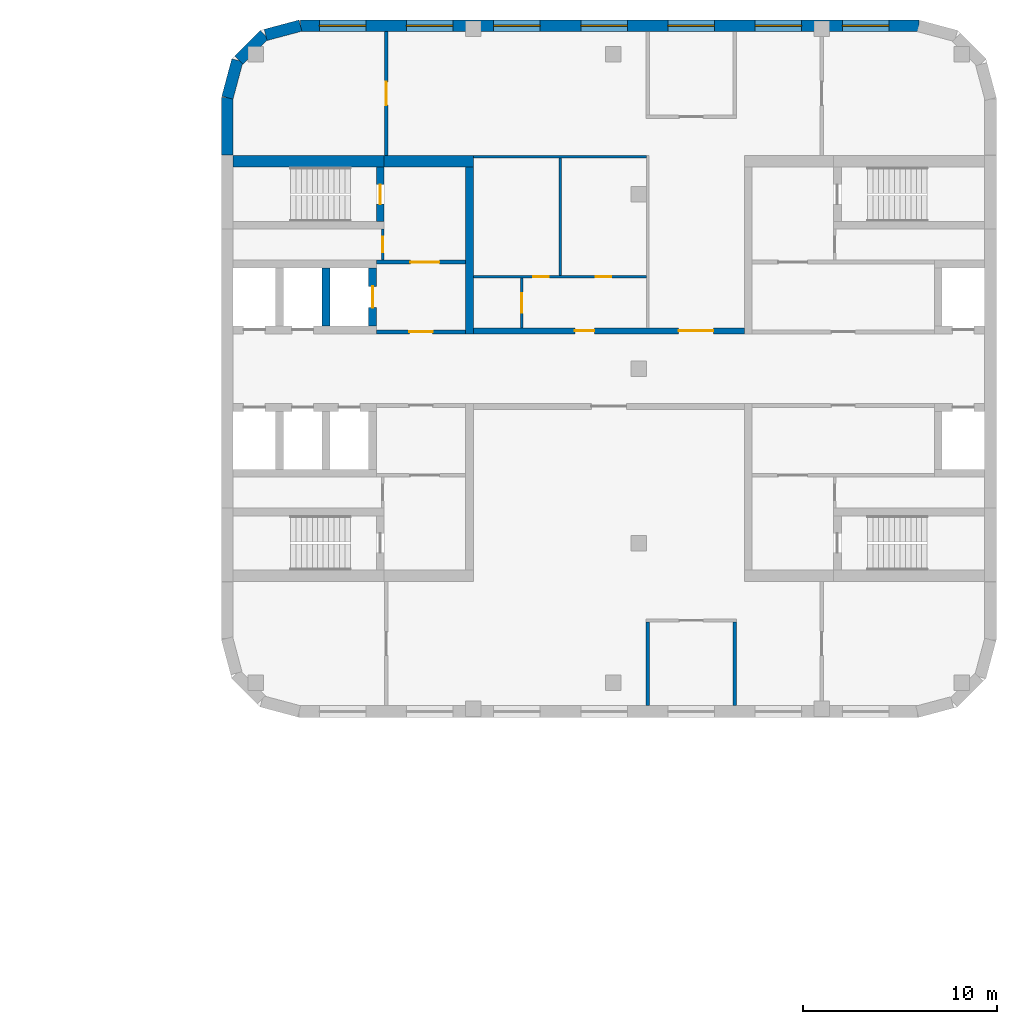
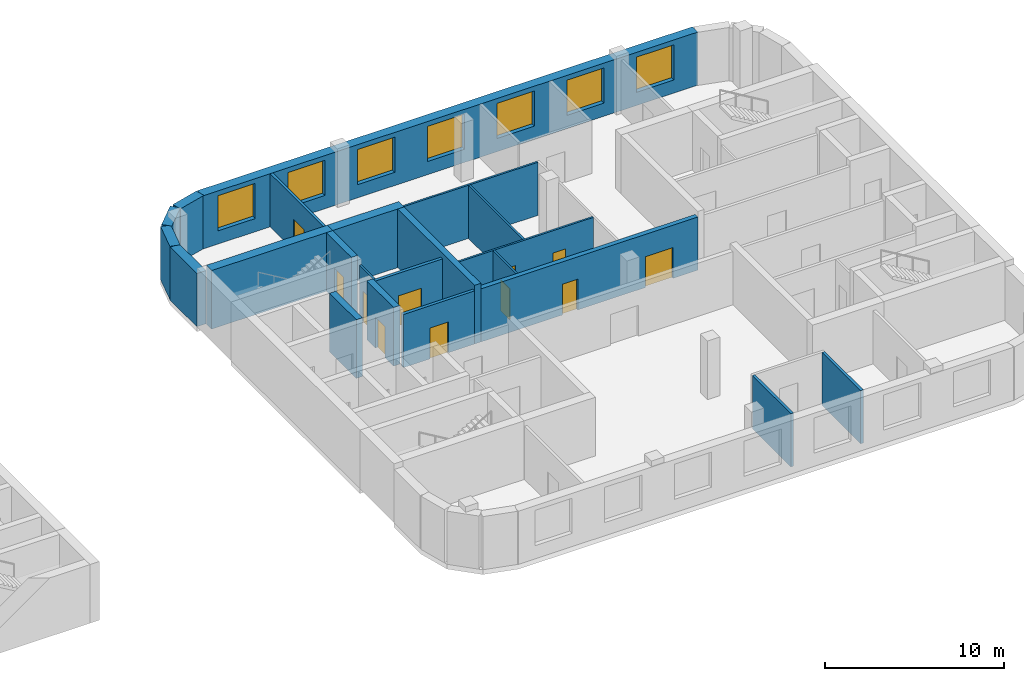
# One storey, part 8 of 15: 22 walls, 11 doors, 7 windows, 18 openings.
"""IFC4 building model written with IfcOpenShell, lengths in metres."""

import ifcopenshell
import ifcopenshell.guid

model = None  # the IFC model being written
_history = None  # IfcOwnerHistory: only IFC2X3 demands one
_inside = {}  # id of a spatial element -> (the spatial element, [elements in it])
_under = {}  # id of a project, library or spatial element -> (it, [spatial elements below it])
_declared = {}  # id of a project -> (the project, [libraries it declares])
_typed = {}  # id of a type object -> (the type object, [elements of that type])
_made_of = {}  # id of a material, layer set ... -> (it, [elements and type objects made of it])


def new_model(schema):
    """Start an empty IFC model of exactly this schema.

    Asked for "IFC4X3", IfcOpenShell would pick the latest addendum, in which some entities
    have other attributes; the version numbers below select the first issue.
    IFC2X3 requires an IfcOwnerHistory on every rooted entity: one is made here for all.
    """
    global model, _history
    if schema == "IFC4X3":
        model = ifcopenshell.file(schema_version=(4, 3, 0, 0))
    else:
        model = ifcopenshell.file(schema=schema)
    _inside.clear()
    _under.clear()
    _declared.clear()
    _typed.clear()
    _made_of.clear()
    _history = None
    if model.schema == "IFC2X3":
        org = make("IfcOrganization", Name="unknown")
        user = make(
            "IfcPersonAndOrganization",
            ThePerson=make("IfcPerson", FamilyName="unknown"),
            TheOrganization=org,
        )
        app = make(
            "IfcApplication",
            ApplicationDeveloper=org,
            Version="unknown",
            ApplicationFullName="unknown",
            ApplicationIdentifier="unknown",
        )
        _history = make(
            "IfcOwnerHistory",
            OwningUser=user,
            OwningApplication=app,
            ChangeAction="ADDED",
            CreationDate=0,
        )
    return model


def make(cls, **values):
    """One entity of the class cls with the attributes given. An attribute that is None is left unset."""
    return model.create_entity(
        cls, **{name: value for name, value in values.items() if value is not None}
    )


def rooted(cls, **values):
    """An entity with a GlobalId (a new one), such as an element, a storey or a relation."""
    return make(cls, GlobalId=ifcopenshell.guid.new(), OwnerHistory=_history, **values)


def si_unit(unit_type, name, prefix=None):
    """IfcSIUnit, for example si_unit("LENGTHUNIT", "METRE", prefix="MILLI")."""
    return make("IfcSIUnit", UnitType=unit_type, Prefix=prefix, Name=name)


def assignment(units):
    """IfcUnitAssignment: the units of a project."""
    return None if units is None else make("IfcUnitAssignment", Units=units)


def point(xyz):
    """IfcCartesianPoint."""
    return None if xyz is None else make("IfcCartesianPoint", Coordinates=xyz)


def direction(xyz):
    """IfcDirection."""
    return None if xyz is None else make("IfcDirection", DirectionRatios=xyz)


def frame(location, z_axis=None, x_axis=None):
    """IfcAxis2Placement3D, a coordinate frame: its origin and axes. An axis left out is left unset."""
    return make(
        "IfcAxis2Placement3D",
        Location=point(location),
        Axis=direction(z_axis),
        RefDirection=direction(x_axis),
    )


def frame_2d(location, x_axis=None):
    """IfcAxis2Placement2D, a coordinate frame in the plane: its origin and x axis."""
    return make(
        "IfcAxis2Placement2D", Location=point(location), RefDirection=direction(x_axis)
    )


def origin():
    """The frame at (0, 0, 0) with its axes left unset."""
    return frame((0.0, 0.0, 0.0))


def place(relative_to, where):
    """IfcLocalPlacement: puts the frame where relative to a parent placement (None: the world)."""
    return make(
        "IfcLocalPlacement", PlacementRelTo=relative_to, RelativePlacement=where
    )


def context(
    kind, dimensions, precision=None, world=None, true_north=None, identifier=None
):
    """IfcGeometricRepresentationContext, for example the 3D "Model" context."""
    return make(
        "IfcGeometricRepresentationContext",
        ContextIdentifier=identifier,
        ContextType=kind,
        CoordinateSpaceDimension=dimensions,
        Precision=precision,
        WorldCoordinateSystem=world,
        TrueNorth=true_north,
    )


def subcontext(parent, identifier, kind, view, scale=None):
    """IfcGeometricRepresentationSubContext, for example "Body" below "Model"."""
    return make(
        "IfcGeometricRepresentationSubContext",
        ContextIdentifier=identifier,
        ContextType=kind,
        ParentContext=parent,
        TargetScale=scale,
        TargetView=view,
    )


def project(units=None, contexts=None):
    """IfcProject with its units and contexts."""
    return rooted(
        "IfcProject",
        Name="project",
        RepresentationContexts=contexts,
        UnitsInContext=assignment(units),
    )


def spatial(cls, under=None, at=None, **own):
    """A site, building, storey or space (cls), placed at a placement, below another one or the project."""
    s = rooted(cls, ObjectPlacement=at, **own)
    if under is not None:
        _under.setdefault(under.id(), (under, []))[1].append(s)
    return s


def profile(cls, at=None, kind="AREA", **sizes):
    """A parametric profile (cls). Its sizes go by their IFC names, for example OverallWidth=200.0."""
    return make(cls, ProfileType=kind, Position=at, **sizes)


def rectangle(**sizes):
    """IfcRectangleProfileDef."""
    return profile("IfcRectangleProfileDef", **sizes)


def extrude(swept, where, along, depth):
    """IfcExtrudedAreaSolid: the profile swept, set in the frame where, extruded along a direction by depth."""
    return make(
        "IfcExtrudedAreaSolid",
        SweptArea=swept,
        Position=where,
        ExtrudedDirection=direction(along),
        Depth=depth,
    )


def shape(context_of_items, identifier, shape_type, items):
    """IfcShapeRepresentation: the items that make up one representation, for example the "Body"."""
    return make(
        "IfcShapeRepresentation",
        ContextOfItems=context_of_items,
        RepresentationIdentifier=identifier,
        RepresentationType=shape_type,
        Items=items,
    )


def material(Name=None, Category=None):
    """IfcMaterial."""
    return make("IfcMaterial", Name=Name, Category=Category)


def layer(
    of_material, thickness, ventilated=None, Name=None, Category=None, Priority=None
):
    """IfcMaterialLayer: one layer of a wall or slab, of a material (None: an air gap)."""
    return make(
        "IfcMaterialLayer",
        Material=of_material,
        LayerThickness=thickness,
        IsVentilated=ventilated,
        Name=Name,
        Category=Category,
        Priority=Priority,
    )


def layer_set(layers, Name=None):
    """IfcMaterialLayerSet."""
    return make("IfcMaterialLayerSet", MaterialLayers=layers, LayerSetName=Name)


def made_of(thing, what):
    """Note that an element or type object is made of a material, layer set ...; save() writes the relation."""
    if what is not None:
        _made_of.setdefault(what.id(), (what, []))[1].append(thing)
    return thing


def type_object(cls, material=None, **own):
    """A type object (cls), such as IfcWallType, which elements share."""
    return made_of(rooted(cls, **own), material)


def element(
    cls,
    number,
    at=None,
    inside=None,
    cuts=None,
    type_object=None,
    material=None,
    context=None,
    identifier="Body",
    shape_type=None,
    held_by="IfcProductDefinitionShape",
    body=None,
    shapes=None,
    **own,
):
    """One element of the class cls, such as IfcWall. Its Tag is "e" and its number.

    at: its placement. inside: the storey or other place that contains it. cuts: it is an
    opening in that element (IfcRelVoidsElement). A single representation is given by context,
    identifier, shape_type and body (its items); several are given by shapes. held_by: the class
    of the entity that holds the representations. save() writes the other relations.
    """
    e = rooted(cls, Tag="e%d" % number, ObjectPlacement=at, **own)
    if body is not None:
        shapes = [shape(context, identifier, shape_type, body)]
    if shapes is not None:
        e.Representation = make(held_by, Representations=shapes)
    if inside is not None:
        _inside.setdefault(inside.id(), (inside, []))[1].append(e)
    if cuts is not None:
        rooted(
            "IfcRelVoidsElement", RelatingBuildingElement=cuts, RelatedOpeningElement=e
        )
    if type_object is not None:
        _typed.setdefault(type_object.id(), (type_object, []))[1].append(e)
    return made_of(e, material)


def fill(opening, filler):
    """IfcRelFillsElement: the door or window that sits in an opening."""
    return rooted(
        "IfcRelFillsElement",
        RelatingOpeningElement=opening,
        RelatedBuildingElement=filler,
    )


def aggregate(whole, parts):
    """IfcRelAggregates: a whole, such as a stair, and the parts it consists of."""
    return rooted("IfcRelAggregates", RelatingObject=whole, RelatedObjects=parts)


def save(model, path):
    """Write the relations noted so far, then the file.

    IfcRelAggregates (storeys below a building ...), IfcRelContainedInSpatialStructure (elements
    in a storey), IfcRelDefinesByType, IfcRelAssociatesMaterial and IfcRelDeclares: one each for
    every whole, place, type object, material and project.
    """
    for whole, parts in _under.values():
        aggregate(whole, parts)
    for where, things in _inside.values():
        rooted(
            "IfcRelContainedInSpatialStructure",
            RelatedElements=things,
            RelatingStructure=where,
        )
    for kind, things in _typed.values():
        rooted("IfcRelDefinesByType", RelatedObjects=things, RelatingType=kind)
    for what, things in _made_of.values():
        rooted("IfcRelAssociatesMaterial", RelatedObjects=things, RelatingMaterial=what)
    for by, libraries in _declared.values():
        rooted("IfcRelDeclares", RelatingContext=by, RelatedDefinitions=libraries)
    model.write(path)


model = new_model("IFC4")

# Units and contexts
model_context = context("Model", 3, precision=1e-05, world=origin(), true_north=direction((0.0, 1.0)))
body_context = subcontext(model_context, "Body", "Model", "MODEL_VIEW")
ifc_project = project(units=[si_unit("LENGTHUNIT", "METRE"), si_unit("AREAUNIT", "SQUARE_METRE"), si_unit("VOLUMEUNIT", "CUBIC_METRE"), si_unit("PLANEANGLEUNIT", "RADIAN"), si_unit("MASSUNIT", "GRAM", prefix="KILO")], contexts=[model_context])

# Site, building, storey
site_placement = place(None, origin())
site = spatial("IfcSite", under=ifc_project, at=site_placement, CompositionType="ELEMENT")
building_placement = place(site_placement, origin())
building = spatial("IfcBuilding", under=site, at=building_placement, Name="Skarvind Civic Tower", CompositionType="ELEMENT")
storey_placement = place(building_placement, frame((0.0, 0.0, 55.5)))
storey = spatial("IfcBuildingStorey", under=building, at=storey_placement, Name="L12", CompositionType="ELEMENT", Elevation=55.5)

# Wall, opening, door
ifc_material_1 = material(Name="Acoustic gypsum board on steel studs", Category="steel")
ifc_layer_1 = layer(ifc_material_1, 0.175048828125)
ifc_layer_set_1 = layer_set([ifc_layer_1], Name="ACOUSTIC MEETING-ROOM PARTITION 175")
wall_type_1 = type_object("IfcWallType", Name="ACOUSTIC MEETING-ROOM PARTITION 175", PredefinedType="PARTITIONING", material=ifc_layer_set_1)
wall_1_placement = place(storey_placement, frame((135.5, 145.39990234375, 0.0), z_axis=(0.0, 0.0, 1.0), x_axis=(0.0, -1.0, 0.0)))
wall_1 = element("IfcWall", 1, at=wall_1_placement, inside=storey, type_object=wall_type_1, Name="Partition 12.002", PredefinedType="PARTITIONING", context=body_context, shape_type="SweptSolid", body=[
    extrude(rectangle(XDim=6.39990234375, YDim=0.175048828125, at=frame_2d((3.199951171875, 0.0))), origin(), (0.0, 0.0, 1.0), 3.625),
])
opening_1_placement = place(wall_1_placement, frame((2.60009765625, 0.0, 0.0)))
opening_1 = element("IfcOpeningElement", 2, at=opening_1_placement, cuts=wall_1, Name="Opening L12-D107", PredefinedType="OPENING", context=body_context, shape_type="SweptSolid", body=[
    extrude(rectangle(XDim=1.199951171875, YDim=2.10009765625, at=frame_2d((0.60009765625, 1.050048828125))), frame((0.0, 0.097412109375, 0.0), z_axis=(0.0, -1.0, 0.0), x_axis=(1.0, 0.0, 0.0)), (0.0, 0.0, 1.0), 0.195068359375),
])
ifc_material_2 = material(Name="Timber door leaf", Category="wood")
door_type_1 = type_object("IfcDoorType", Name="DOOR 1200X2100 DOUBLE TIMBER", OperationType="NOTDEFINED", PredefinedType="DOOR", material=ifc_material_2)
door_1_placement = place(opening_1_placement, origin())
door_1 = element("IfcDoor", 3, at=door_1_placement, inside=storey, type_object=door_type_1, Name="Door L12-D107", OperationType="DOUBLE_DOOR_SINGLE_SWING", OverallHeight=2.10009765625, OverallWidth=1.199951171875, PredefinedType="DOOR", context=body_context, shape_type="SweptSolid", body=[
    extrude(rectangle(XDim=1.199951171875, YDim=2.10009765625, at=frame_2d((0.60009765625, 1.050048828125))), frame((0.0, 0.02490234375, 0.0), z_axis=(0.0, -1.0, 0.0), x_axis=(1.0, 0.0, 0.0)), (0.0, 0.0, 1.0), 0.050048828125),
])
fill(opening_1, door_1)

# Walls
for number, where, z_axis, x_axis, name in (
    (4, (149.0, 110.60009765625, 0.0), (0.0, 0.0, 1.0), (0.0, 1.0, 0.0), "Partition 12.008"),
    (5, (153.5, 114.912109375, 0.0), (0.0, 0.0, 1.0), (0.0, -1.0, 0.0), "Partition 12.012"),
):
    element("IfcWall", number, at=place(storey_placement, frame(where, z_axis=z_axis, x_axis=x_axis)), inside=storey, type_object=wall_type_1, Name=name, PredefinedType="PARTITIONING", context=body_context, shape_type="SweptSolid", body=[
        extrude(rectangle(XDim=4.31201171875, YDim=0.175048828125, at=frame_2d((2.156005859375, 0.0))), origin(), (0.0, 0.0, 1.0), 3.625),
    ])

# Wall, openings, doors
ifc_material_3 = material(Name="Fire-rated gypsum board on steel studs", Category="steel")
ifc_layer_2 = layer(ifc_material_3, 0.300048828125)
ifc_layer_set_2 = layer_set([ifc_layer_2], Name="CORRIDOR WALL 300")
wall_type_2 = type_object("IfcWallType", Name="CORRIDOR WALL 300", PredefinedType="PARTITIONING", material=ifc_layer_set_2)
wall_2_placement = place(storey_placement, frame((140.0, 129.949951171875, 0.0), z_axis=(0.0, 0.0, 1.0), x_axis=(1.0, 0.0, 0.0)))
wall_2 = element("IfcWall", 6, at=wall_2_placement, inside=storey, type_object=wall_type_2, Name="Partition 12.003", PredefinedType="PARTITIONING", context=body_context, shape_type="SweptSolid", body=[
    extrude(rectangle(XDim=14.0, YDim=0.300048828125, at=frame_2d((7.0, 0.0))), origin(), (0.0, 0.0, 1.0), 3.625),
])
opening_2_placement = place(wall_2_placement, frame((5.25, 0.0, 0.0)))
opening_2 = element("IfcOpeningElement", 7, at=opening_2_placement, cuts=wall_2, Name="Opening L12-D101", PredefinedType="OPENING", context=body_context, shape_type="SweptSolid", body=[
    extrude(rectangle(XDim=1.0, YDim=2.10009765625, at=frame_2d((0.5, 1.050048828125))), frame((0.0, 0.159912109375, 0.0), z_axis=(0.0, -1.0, 0.0), x_axis=(1.0, 0.0, 0.0)), (0.0, 0.0, 1.0), 0.320068359375),
])
opening_3_placement = place(wall_2_placement, frame((10.60009765625, 0.0, 0.0)))
opening_3 = element("IfcOpeningElement", 8, at=opening_3_placement, cuts=wall_2, Name="Opening L12-D105", PredefinedType="OPENING", context=body_context, shape_type="SweptSolid", body=[
    extrude(rectangle(XDim=1.800048828125, YDim=2.10009765625, at=frame_2d((0.89990234375, 1.050048828125))), frame((0.0, 0.159912109375, 0.0), z_axis=(0.0, -1.0, 0.0), x_axis=(1.0, 0.0, 0.0)), (0.0, 0.0, 1.0), 0.320068359375),
])
ifc_material_4 = material(Name="Fire-rated timber door leaf", Category="wood")
door_type_2 = type_object("IfcDoorType", Name="FD1 1000x2100", OperationType="NOTDEFINED", PredefinedType="DOOR", material=ifc_material_4)
door_2_placement = place(opening_2_placement, origin())
door_2 = element("IfcDoor", 9, at=door_2_placement, inside=storey, type_object=door_type_2, Name="Door L12-D101", OperationType="SINGLE_SWING_RIGHT", OverallHeight=2.10009765625, OverallWidth=1.0, PredefinedType="DOOR", context=body_context, shape_type="SweptSolid", body=[
    extrude(rectangle(XDim=1.0, YDim=2.10009765625, at=frame_2d((0.5, 1.050048828125))), frame((0.0, 0.02490234375, 0.0), z_axis=(0.0, -1.0, 0.0), x_axis=(1.0, 0.0, 0.0)), (0.0, 0.0, 1.0), 0.050048828125),
])
fill(opening_2, door_2)
door_type_3 = type_object("IfcDoorType", Name="FD4 1800x2100", OperationType="NOTDEFINED", PredefinedType="DOOR", material=ifc_material_4)
door_3_placement = place(opening_3_placement, origin())
door_3 = element("IfcDoor", 10, at=door_3_placement, inside=storey, type_object=door_type_3, Name="Door L12-D105", OperationType="DOUBLE_DOOR_SINGLE_SWING", OverallHeight=2.10009765625, OverallWidth=1.800048828125, PredefinedType="DOOR", context=body_context, shape_type="SweptSolid", body=[
    extrude(rectangle(XDim=1.800048828125, YDim=2.10009765625, at=frame_2d((0.89990234375, 1.050048828125))), frame((0.0, 0.02490234375, 0.0), z_axis=(0.0, -1.0, 0.0), x_axis=(1.0, 0.0, 0.0)), (0.0, 0.0, 1.0), 0.050048828125),
])
fill(opening_3, door_3)

# Wall, opening, door
ifc_material_5 = material(Name="Fire-rated masonry partition", Category="masonry")
ifc_layer_3 = layer(ifc_material_5, 0.199951171875)
ifc_layer_set_3 = layer_set([ifc_layer_3], Name="Core enclosure wall 200")
wall_type_3 = type_object("IfcWallType", Name="Core enclosure wall 200", PredefinedType="PARTITIONING", material=ifc_layer_set_3)
wall_3_placement = place(storey_placement, frame((135.0, 129.89990234375, 0.0), z_axis=(0.0, 0.0, 1.0), x_axis=(1.0, 0.0, 0.0)))
wall_3 = element("IfcWall", 11, at=wall_3_placement, inside=storey, type_object=wall_type_3, Name="Core wall CA", PredefinedType="PARTITIONING", context=body_context, shape_type="SweptSolid", body=[
    extrude(rectangle(XDim=4.60009765625, YDim=0.199951171875, at=frame_2d((2.300048828125, 0.0))), origin(), (0.0, 0.0, 1.0), 3.625),
])
opening_4_placement = place(wall_3_placement, frame((1.699951171875, 0.0, 0.0)))
opening_4 = element("IfcOpeningElement", 12, at=opening_4_placement, cuts=wall_3, Name="Opening D-L12-CA-06", PredefinedType="OPENING", context=body_context, shape_type="SweptSolid", body=[
    extrude(rectangle(XDim=1.199951171875, YDim=2.10009765625, at=frame_2d((0.60009765625, 1.050048828125))), frame((0.0, 0.10986328125, 0.0), z_axis=(0.0, -1.0, 0.0), x_axis=(1.0, 0.0, 0.0)), (0.0, 0.0, 1.0), 0.219970703125),
])
ifc_material_6 = material(Name="Fire-rated steel door", Category="steel")
door_type_4 = type_object("IfcDoorType", Name="Core lobby door 1200", OperationType="NOTDEFINED", PredefinedType="DOOR", material=ifc_material_6)
door_4_placement = place(opening_4_placement, origin())
door_4 = element("IfcDoor", 13, at=door_4_placement, inside=storey, type_object=door_type_4, Name="Fire door", OperationType="DOUBLE_DOOR_SINGLE_SWING", OverallHeight=2.10009765625, OverallWidth=1.199951171875, PredefinedType="DOOR", context=body_context, shape_type="SweptSolid", body=[
    extrude(rectangle(XDim=1.199951171875, YDim=2.10009765625, at=frame_2d((0.60009765625, 1.050048828125))), frame((0.0, 0.02490234375, 0.0), z_axis=(0.0, -1.0, 0.0), x_axis=(1.0, 0.0, 0.0)), (0.0, 0.0, 1.0), 0.050048828125),
])
fill(opening_4, door_4)

wall_4_placement = place(storey_placement, frame((135.0, 133.5, 0.0), z_axis=(0.0, 0.0, 1.0), x_axis=(1.0, 0.0, 0.0)))
wall_4 = element("IfcWall", 14, at=wall_4_placement, inside=storey, type_object=wall_type_3, Name="Core wall CA", PredefinedType="PARTITIONING", context=body_context, shape_type="SweptSolid", body=[
    extrude(rectangle(XDim=4.60009765625, YDim=0.199951171875, at=frame_2d((2.300048828125, 0.0))), origin(), (0.0, 0.0, 1.0), 3.625),
])
opening_5_placement = place(wall_4_placement, frame((1.75, 0.0, 0.0)))
opening_5 = element("IfcOpeningElement", 15, at=opening_5_placement, cuts=wall_4, Name="Opening D-L12-CA-07", PredefinedType="OPENING", context=body_context, shape_type="SweptSolid", body=[
    extrude(rectangle(XDim=1.5, YDim=2.10009765625, at=frame_2d((0.75, 1.050048828125))), frame((0.0, 0.10986328125, 0.0), z_axis=(0.0, -1.0, 0.0), x_axis=(1.0, 0.0, 0.0)), (0.0, 0.0, 1.0), 0.219970703125),
])
door_type_5 = type_object("IfcDoorType", Name="Fire door 1500", OperationType="NOTDEFINED", PredefinedType="DOOR", material=ifc_material_6)
door_5_placement = place(opening_5_placement, origin())
door_5 = element("IfcDoor", 16, at=door_5_placement, inside=storey, type_object=door_type_5, Name="Fire door", OperationType="DOUBLE_DOOR_SINGLE_SWING", OverallHeight=2.10009765625, OverallWidth=1.5, PredefinedType="DOOR", context=body_context, shape_type="SweptSolid", body=[
    extrude(rectangle(XDim=1.5, YDim=2.10009765625, at=frame_2d((0.75, 1.050048828125))), frame((0.0, 0.02490234375, 0.0), z_axis=(0.0, -1.0, 0.0), x_axis=(1.0, 0.0, 0.0)), (0.0, 0.0, 1.0), 0.050048828125),
])
fill(opening_5, door_5)

ifc_material_7 = material(Name="Concrete C80", Category="concrete")
ifc_layer_4 = layer(ifc_material_7, 0.39990234375)
ifc_layer_set_4 = layer_set([ifc_layer_4], Name="Core wall 400 C80")
wall_type_4 = type_object("IfcWallType", Name="Core wall 400 C80", PredefinedType="SHEAR", material=ifc_layer_set_4)
wall_5_placement = place(storey_placement, frame((135.199951171875, 135.60009765625, 0.0), z_axis=(0.0, 0.0, 1.0), x_axis=(0.0, 1.0, 0.0)))
wall_5 = element("IfcWall", 17, at=wall_5_placement, inside=storey, type_object=wall_type_4, Name="Core wall CA north stair end L12", PredefinedType="SHEAR", context=body_context, shape_type="SweptSolid", body=[
    extrude(rectangle(XDim=2.7998046875, YDim=0.39990234375, at=frame_2d((1.39990234375, 0.0))), origin(), (0.0, 0.0, 1.0), 4.0),
])
opening_6_placement = place(wall_5_placement, frame((0.89990234375, 0.0, 0.0)))
opening_6 = element("IfcOpeningElement", 18, at=opening_6_placement, cuts=wall_5, Name="Opening D-L12-CA-08", PredefinedType="OPENING", context=body_context, shape_type="SweptSolid", body=[
    extrude(rectangle(XDim=1.0, YDim=2.10009765625, at=frame_2d((0.5, 1.050048828125))), frame((0.0, 0.2099609375, 0.0), z_axis=(0.0, -1.0, 0.0), x_axis=(1.0, 0.0, 0.0)), (0.0, 0.0, 1.0), 0.419921875),
])
door_type_6 = type_object("IfcDoorType", Name="Fire door 1000", OperationType="NOTDEFINED", PredefinedType="DOOR", material=ifc_material_6)
door_6_placement = place(opening_6_placement, origin())
door_6 = element("IfcDoor", 19, at=door_6_placement, inside=storey, type_object=door_type_6, Name="Fire door", OperationType="SINGLE_SWING_LEFT", OverallHeight=2.10009765625, OverallWidth=1.0, PredefinedType="DOOR", context=body_context, shape_type="SweptSolid", body=[
    extrude(rectangle(XDim=1.0, YDim=2.10009765625, at=frame_2d((0.5, 1.050048828125))), frame((0.0, 0.02490234375, 0.0), z_axis=(0.0, -1.0, 0.0), x_axis=(1.0, 0.0, 0.0)), (0.0, 0.0, 1.0), 0.050048828125),
])
fill(opening_6, door_6)

# Wall
wall_6_placement = place(storey_placement, frame((132.39990234375, 130.199951171875, 0.0), z_axis=(0.0, 0.0, 1.0), x_axis=(0.0, 1.0, 0.0)))
element("IfcWall", 20, at=wall_6_placement, inside=storey, type_object=wall_type_4, Name="Core wall CA north lift row division 2 L12", PredefinedType="SHEAR", context=body_context, shape_type="SweptSolid", body=[
    extrude(rectangle(XDim=3.0, YDim=0.39990234375, at=frame_2d((1.5, 0.0))), origin(), (0.0, 0.0, 1.0), 4.0),
])

# Wall, opening, door
wall_7_placement = place(storey_placement, frame((134.800048828125, 130.199951171875, 0.0), z_axis=(0.0, 0.0, 1.0), x_axis=(0.0, 1.0, 0.0)))
wall_7 = element("IfcWall", 21, at=wall_7_placement, inside=storey, type_object=wall_type_4, Name="Core wall CA north lift row division 3 L12", PredefinedType="SHEAR", context=body_context, shape_type="SweptSolid", body=[
    extrude(rectangle(XDim=3.0, YDim=0.39990234375, at=frame_2d((1.5, 0.0))), origin(), (0.0, 0.0, 1.0), 4.0),
])
opening_7_placement = place(wall_7_placement, frame((0.949951171875, 0.0, 0.0)))
opening_7 = element("IfcOpeningElement", 22, at=opening_7_placement, cuts=wall_7, Name="Opening LD14303", PredefinedType="OPENING", context=body_context, shape_type="SweptSolid", body=[
    extrude(rectangle(XDim=1.10009765625, YDim=2.10009765625, at=frame_2d((0.550048828125, 1.050048828125))), frame((0.0, 0.2099609375, 0.0), z_axis=(0.0, -1.0, 0.0), x_axis=(1.0, 0.0, 0.0)), (0.0, 0.0, 1.0), 0.419921875),
])
ifc_material_8 = material(Name="Stainless steel landing door", Category="steel")
door_type_7 = type_object("IfcDoorType", Name="Lift landing door 1100", OperationType="DOUBLE_DOOR_SLIDING", PredefinedType="DOOR", material=ifc_material_8)
door_7_placement = place(opening_7_placement, origin())
door_7 = element("IfcDoor", 23, at=door_7_placement, inside=storey, type_object=door_type_7, Name="Lift landing door", OperationType="DOUBLE_DOOR_SLIDING", OverallHeight=2.10009765625, OverallWidth=1.10009765625, PredefinedType="DOOR", context=body_context, shape_type="SweptSolid", body=[
    extrude(rectangle(XDim=1.10009765625, YDim=2.10009765625, at=frame_2d((0.550048828125, 1.050048828125))), frame((0.0, 0.02490234375, 0.0), z_axis=(0.0, -1.0, 0.0), x_axis=(1.0, 0.0, 0.0)), (0.0, 0.0, 1.0), 0.050048828125),
])
fill(opening_7, door_7)

# Walls
wall_8_placement = place(storey_placement, frame((139.800048828125, 129.800048828125, 0.0), z_axis=(0.0, 0.0, 1.0), x_axis=(0.0, 1.0, 0.0)))
element("IfcWall", 24, at=wall_8_placement, inside=storey, type_object=wall_type_4, Name="Core wall CA north inner face L12", PredefinedType="SHEAR", context=body_context, shape_type="SweptSolid", body=[
    extrude(rectangle(XDim=8.599853515625, YDim=0.39990234375, at=frame_2d((4.2998046875, 0.0))), origin(), (0.0, 0.0, 1.0), 4.0),
])
ifc_layer_5 = layer(ifc_material_7, 0.60009765625)
ifc_layer_set_5 = layer_set([ifc_layer_5], Name="Core wall 600 C80")
wall_type_5 = type_object("IfcWallType", Name="Core wall 600 C80", PredefinedType="SHEAR", material=ifc_layer_set_5)
wall_9_placement = place(storey_placement, frame((127.60009765625, 138.699951171875, 0.0), z_axis=(0.0, 0.0, 1.0), x_axis=(1.0, 0.0, 0.0)))
element("IfcWall", 25, at=wall_9_placement, inside=storey, type_object=wall_type_5, Name="Core wall CA north side at the stair L12", PredefinedType="SHEAR", context=body_context, shape_type="SweptSolid", body=[
    extrude(rectangle(XDim=7.7998046875, YDim=0.60009765625, at=frame_2d((3.89990234375, 0.0))), origin(), (0.0, 0.0, 1.0), 4.0),
])
wall_10_placement = place(storey_placement, frame((135.39990234375, 138.699951171875, 0.0), z_axis=(0.0, 0.0, 1.0), x_axis=(1.0, 0.0, 0.0)))
element("IfcWall", 26, at=wall_10_placement, inside=storey, type_object=wall_type_5, Name="Core wall CA north side L12", PredefinedType="SHEAR", context=body_context, shape_type="SweptSolid", body=[
    extrude(rectangle(XDim=4.60009765625, YDim=0.60009765625, at=frame_2d((2.300048828125, 0.0))), origin(), (0.0, 0.0, 1.0), 4.0),
])

# Wall, opening, door
ifc_layer_6 = layer(ifc_material_5, 0.125)
ifc_layer_set_6 = layer_set([ifc_layer_6], Name="Riser wall 125")
wall_type_6 = type_object("IfcWallType", Name="Riser wall 125", PredefinedType="PARTITIONING", material=ifc_layer_set_6)
wall_11_placement = place(storey_placement, frame((135.33740234375, 135.199951171875, 0.0), z_axis=(0.0, 0.0, 1.0), x_axis=(0.0, -1.0, 0.0)))
wall_11 = element("IfcWall", 27, at=wall_11_placement, inside=storey, type_object=wall_type_6, Name="Core wall CA", PredefinedType="PARTITIONING", context=body_context, shape_type="SweptSolid", body=[
    extrude(rectangle(XDim=1.599853515625, YDim=0.125, at=frame_2d((0.7998046875, 0.0))), origin(), (0.0, 0.0, 1.0), 3.625),
])
opening_8_placement = place(wall_11_placement, frame((0.39990234375, 0.0, 0.0)))
opening_8 = element("IfcOpeningElement", 28, at=opening_8_placement, cuts=wall_11, Name="Opening D-L12-CA-09", PredefinedType="OPENING", context=body_context, shape_type="SweptSolid", body=[
    extrude(rectangle(XDim=0.800048828125, YDim=2.10009765625, at=frame_2d((0.39990234375, 1.050048828125))), frame((0.0, 0.072509765625, 0.0), z_axis=(0.0, -1.0, 0.0), x_axis=(1.0, 0.0, 0.0)), (0.0, 0.0, 1.0), 0.14501953125),
])
door_type_8 = type_object("IfcDoorType", Name="Core riser door 800", OperationType="NOTDEFINED", PredefinedType="DOOR", material=ifc_material_6)
door_8_placement = place(opening_8_placement, origin())
door_8 = element("IfcDoor", 29, at=door_8_placement, inside=storey, type_object=door_type_8, Name="Riser door", OperationType="SINGLE_SWING_RIGHT", OverallHeight=2.10009765625, OverallWidth=0.800048828125, PredefinedType="DOOR", context=body_context, shape_type="SweptSolid", body=[
    extrude(rectangle(XDim=0.800048828125, YDim=2.10009765625, at=frame_2d((0.39990234375, 1.050048828125))), frame((0.0, 0.02490234375, 0.0), z_axis=(0.0, -1.0, 0.0), x_axis=(1.0, 0.0, 0.0)), (0.0, 0.0, 1.0), 0.050048828125),
])
fill(opening_8, door_8)

# Wall, openings, doors
ifc_material_9 = material(Name="Moisture-resistant gypsum board on steel studs", Category="steel")
ifc_layer_7 = layer(ifc_material_9, 0.125)
ifc_layer_set_7 = layer_set([ifc_layer_7], Name="WC PARTITION 125")
wall_type_7 = type_object("IfcWallType", Name="WC PARTITION 125", PredefinedType="PARTITIONING", material=ifc_layer_set_7)
wall_12_placement = place(storey_placement, frame((140.0, 132.75, 0.0), z_axis=(0.0, 0.0, 1.0), x_axis=(1.0, 0.0, 0.0)))
wall_12 = element("IfcWall", 30, at=wall_12_placement, inside=storey, type_object=wall_type_7, Name="Partition 12.004", PredefinedType="PARTITIONING", context=body_context, shape_type="SweptSolid", body=[
    extrude(rectangle(XDim=8.93798828125, YDim=0.125, at=frame_2d((4.468994140625, 0.0))), origin(), (0.0, 0.0, 1.0), 3.625),
])
opening_9_placement = place(wall_12_placement, frame((6.3291015625, 0.0, 0.0)))
opening_9 = element("IfcOpeningElement", 31, at=opening_9_placement, cuts=wall_12, Name="Opening L12-D103", PredefinedType="OPENING", context=body_context, shape_type="SweptSolid", body=[
    extrude(rectangle(XDim=0.800048828125, YDim=2.10009765625, at=frame_2d((0.39990234375, 1.050048828125))), frame((0.0, 0.072509765625, 0.0), z_axis=(0.0, -1.0, 0.0), x_axis=(1.0, 0.0, 0.0)), (0.0, 0.0, 1.0), 0.14501953125),
])
opening_10_placement = place(wall_12_placement, frame((3.10009765625, 0.0, 0.0)))
opening_10 = element("IfcOpeningElement", 32, at=opening_10_placement, cuts=wall_12, Name="Opening L12-D104", PredefinedType="OPENING", context=body_context, shape_type="SweptSolid", body=[
    extrude(rectangle(XDim=0.800048828125, YDim=2.10009765625, at=frame_2d((0.39990234375, 1.050048828125))), frame((0.0, 0.072509765625, 0.0), z_axis=(0.0, -1.0, 0.0), x_axis=(1.0, 0.0, 0.0)), (0.0, 0.0, 1.0), 0.14501953125),
])
door_type_9 = type_object("IfcDoorType", Name="DOOR 800X2100 TIMBER", OperationType="NOTDEFINED", PredefinedType="DOOR", material=ifc_material_2)
door_9_placement = place(opening_9_placement, origin())
door_9 = element("IfcDoor", 33, at=door_9_placement, inside=storey, type_object=door_type_9, Name="Door L12-D103", OperationType="SINGLE_SWING_RIGHT", OverallHeight=2.10009765625, OverallWidth=0.800048828125, PredefinedType="DOOR", context=body_context, shape_type="SweptSolid", body=[
    extrude(rectangle(XDim=0.800048828125, YDim=2.10009765625, at=frame_2d((0.39990234375, 1.050048828125))), frame((0.0, 0.02490234375, 0.0), z_axis=(0.0, -1.0, 0.0), x_axis=(1.0, 0.0, 0.0)), (0.0, 0.0, 1.0), 0.050048828125),
])
fill(opening_9, door_9)
door_10_placement = place(opening_10_placement, origin())
door_10 = element("IfcDoor", 34, at=door_10_placement, inside=storey, type_object=door_type_9, Name="Door L12-D104", OperationType="SINGLE_SWING_LEFT", OverallHeight=2.10009765625, OverallWidth=0.800048828125, PredefinedType="DOOR", context=body_context, shape_type="SweptSolid", body=[
    extrude(rectangle(XDim=0.800048828125, YDim=2.10009765625, at=frame_2d((0.39990234375, 1.050048828125))), frame((0.0, 0.02490234375, 0.0), z_axis=(0.0, -1.0, 0.0), x_axis=(1.0, 0.0, 0.0)), (0.0, 0.0, 1.0), 0.050048828125),
])
fill(opening_10, door_10)

# Wall
wall_13_placement = place(storey_placement, frame((140.0, 138.949951171875, 0.0), z_axis=(0.0, 0.0, 1.0), x_axis=(1.0, 0.0, 0.0)))
element("IfcWall", 35, at=wall_13_placement, inside=storey, type_object=wall_type_7, Name="Partition 12.005", PredefinedType="PARTITIONING", context=body_context, shape_type="SweptSolid", body=[
    extrude(rectangle(XDim=8.93798828125, YDim=0.125, at=frame_2d((4.468994140625, 0.0))), origin(), (0.0, 0.0, 1.0), 3.625),
])

# Wall, opening, door
wall_14_placement = place(storey_placement, frame((142.5, 130.10009765625, 0.0), z_axis=(0.0, 0.0, 1.0), x_axis=(0.0, 1.0, 0.0)))
wall_14 = element("IfcWall", 36, at=wall_14_placement, inside=storey, type_object=wall_type_7, Name="Partition 12.006", PredefinedType="PARTITIONING", context=body_context, shape_type="SweptSolid", body=[
    extrude(rectangle(XDim=2.587890625, YDim=0.125, at=frame_2d((1.2939453125, 0.0))), origin(), (0.0, 0.0, 1.0), 3.625),
])
opening_11_placement = place(wall_14_placement, frame((0.7939453125, 0.0, 0.0)))
opening_11 = element("IfcOpeningElement", 37, at=opening_11_placement, cuts=wall_14, Name="Opening L12-D102", PredefinedType="OPENING", context=body_context, shape_type="SweptSolid", body=[
    extrude(rectangle(XDim=1.0, YDim=2.10009765625, at=frame_2d((0.5, 1.050048828125))), frame((0.0, 0.072509765625, 0.0), z_axis=(0.0, -1.0, 0.0), x_axis=(1.0, 0.0, 0.0)), (0.0, 0.0, 1.0), 0.14501953125),
])
door_type_10 = type_object("IfcDoorType", Name="D1 1000x2100", OperationType="NOTDEFINED", PredefinedType="DOOR", material=ifc_material_2)
door_11_placement = place(opening_11_placement, origin())
door_11 = element("IfcDoor", 38, at=door_11_placement, inside=storey, type_object=door_type_10, Name="Door L12-D102", OperationType="SINGLE_SWING_RIGHT", OverallHeight=2.10009765625, OverallWidth=1.0, PredefinedType="DOOR", context=body_context, shape_type="SweptSolid", body=[
    extrude(rectangle(XDim=1.0, YDim=2.10009765625, at=frame_2d((0.5, 1.050048828125))), frame((0.0, 0.02490234375, 0.0), z_axis=(0.0, -1.0, 0.0), x_axis=(1.0, 0.0, 0.0)), (0.0, 0.0, 1.0), 0.050048828125),
])
fill(opening_11, door_11)

# Wall
wall_15_placement = place(storey_placement, frame((144.5, 138.887939453125, 0.0), z_axis=(0.0, 0.0, 1.0), x_axis=(0.0, -1.0, 0.0)))
element("IfcWall", 39, at=wall_15_placement, inside=storey, type_object=wall_type_7, Name="Partition 12.007", PredefinedType="PARTITIONING", context=body_context, shape_type="SweptSolid", body=[
    extrude(rectangle(XDim=6.075927734375, YDim=0.125, at=frame_2d((3.0380859375, 0.0))), origin(), (0.0, 0.0, 1.0), 3.625),
])

# Wall, openings, windows
ifc_material_10 = material(Name="Limestone masonry cladding on insulated backing", Category="masonry")
ifc_layer_8 = layer(ifc_material_10, 0.60009765625)
ifc_layer_set_8 = layer_set([ifc_layer_8], Name="WX1 STONE FACADE WALL 600")
wall_type_8 = type_object("IfcWallType", Name="WX1 STONE FACADE WALL 600", PredefinedType="SOLIDWALL", material=ifc_layer_set_8)
wall_16_placement = place(storey_placement, frame((131.070068359375, 145.699951171875, 0.0), z_axis=(0.0, 0.0, 1.0), x_axis=(1.0, 0.0, 0.0)))
wall_16 = element("IfcWall", 40, at=wall_16_placement, inside=storey, type_object=wall_type_8, Name="STONE FACADE WALL", PredefinedType="SOLIDWALL", context=body_context, shape_type="SweptSolid", body=[
    extrude(rectangle(XDim=31.929931640625, YDim=0.60009765625, at=frame_2d((15.96484375, 0.0))), origin(), (0.0, 0.0, 1.0), 3.625),
])
opening_12_placement = place(wall_16_placement, frame((0.97998046875, 0.0, 0.89990234375)))
opening_12 = element("IfcOpeningElement", 41, at=opening_12_placement, cuts=wall_16, Name="Opening WN9", PredefinedType="OPENING", context=body_context, shape_type="SweptSolid", body=[
    extrude(rectangle(XDim=2.39990234375, YDim=2.39990234375, at=frame_2d((1.199951171875, 1.199951171875))), frame((0.0, 0.31005859375, 0.0), z_axis=(0.0, -1.0, 0.0), x_axis=(1.0, 0.0, 0.0)), (0.0, 0.0, 1.0), 0.6201171875),
])
opening_13_placement = place(wall_16_placement, frame((5.47998046875, 0.0, 0.89990234375)))
opening_13 = element("IfcOpeningElement", 42, at=opening_13_placement, cuts=wall_16, Name="Opening WN9", PredefinedType="OPENING", context=body_context, shape_type="SweptSolid", body=[
    extrude(rectangle(XDim=2.39990234375, YDim=2.39990234375, at=frame_2d((1.199951171875, 1.199951171875))), frame((0.0, 0.31005859375, 0.0), z_axis=(0.0, -1.0, 0.0), x_axis=(1.0, 0.0, 0.0)), (0.0, 0.0, 1.0), 0.6201171875),
])
opening_14_placement = place(wall_16_placement, frame((9.97998046875, 0.0, 0.89990234375)))
opening_14 = element("IfcOpeningElement", 43, at=opening_14_placement, cuts=wall_16, Name="Opening WN9", PredefinedType="OPENING", context=body_context, shape_type="SweptSolid", body=[
    extrude(rectangle(XDim=2.39990234375, YDim=2.39990234375, at=frame_2d((1.199951171875, 1.199951171875))), frame((0.0, 0.31005859375, 0.0), z_axis=(0.0, -1.0, 0.0), x_axis=(1.0, 0.0, 0.0)), (0.0, 0.0, 1.0), 0.6201171875),
])
opening_15_placement = place(wall_16_placement, frame((14.47998046875, 0.0, 0.89990234375)))
opening_15 = element("IfcOpeningElement", 44, at=opening_15_placement, cuts=wall_16, Name="Opening WN9", PredefinedType="OPENING", context=body_context, shape_type="SweptSolid", body=[
    extrude(rectangle(XDim=2.39990234375, YDim=2.39990234375, at=frame_2d((1.199951171875, 1.199951171875))), frame((0.0, 0.31005859375, 0.0), z_axis=(0.0, -1.0, 0.0), x_axis=(1.0, 0.0, 0.0)), (0.0, 0.0, 1.0), 0.6201171875),
])
opening_16_placement = place(wall_16_placement, frame((18.97998046875, 0.0, 0.89990234375)))
opening_16 = element("IfcOpeningElement", 45, at=opening_16_placement, cuts=wall_16, Name="Opening WN9", PredefinedType="OPENING", context=body_context, shape_type="SweptSolid", body=[
    extrude(rectangle(XDim=2.39990234375, YDim=2.39990234375, at=frame_2d((1.199951171875, 1.199951171875))), frame((0.0, 0.31005859375, 0.0), z_axis=(0.0, -1.0, 0.0), x_axis=(1.0, 0.0, 0.0)), (0.0, 0.0, 1.0), 0.6201171875),
])
opening_17_placement = place(wall_16_placement, frame((23.47998046875, 0.0, 0.89990234375)))
opening_17 = element("IfcOpeningElement", 46, at=opening_17_placement, cuts=wall_16, Name="Opening WN9", PredefinedType="OPENING", context=body_context, shape_type="SweptSolid", body=[
    extrude(rectangle(XDim=2.39990234375, YDim=2.39990234375, at=frame_2d((1.199951171875, 1.199951171875))), frame((0.0, 0.31005859375, 0.0), z_axis=(0.0, -1.0, 0.0), x_axis=(1.0, 0.0, 0.0)), (0.0, 0.0, 1.0), 0.6201171875),
])
opening_18_placement = place(wall_16_placement, frame((27.97998046875, 0.0, 0.89990234375)))
opening_18 = element("IfcOpeningElement", 47, at=opening_18_placement, cuts=wall_16, Name="Opening WN9", PredefinedType="OPENING", context=body_context, shape_type="SweptSolid", body=[
    extrude(rectangle(XDim=2.39990234375, YDim=2.39990234375, at=frame_2d((1.199951171875, 1.199951171875))), frame((0.0, 0.31005859375, 0.0), z_axis=(0.0, -1.0, 0.0), x_axis=(1.0, 0.0, 0.0)), (0.0, 0.0, 1.0), 0.6201171875),
])
ifc_material_11 = material(Name="Timber frame, double glazing, timber-lined reveal", Category="wood")
window_type = type_object("IfcWindowType", Name="WN9 COMPANION TOWER WINDOW 2400 x 2400", PartitioningType="SINGLE_PANEL", PredefinedType="WINDOW", material=ifc_material_11)
window_1_placement = place(opening_12_placement, origin())
window_1 = element("IfcWindow", 48, at=window_1_placement, inside=storey, type_object=window_type, Name="WN9 WINDOW", OverallHeight=2.39990234375, OverallWidth=2.39990234375, PartitioningType="SINGLE_PANEL", PredefinedType="WINDOW", context=body_context, shape_type="SweptSolid", body=[
    extrude(rectangle(XDim=2.39990234375, YDim=2.39990234375, at=frame_2d((1.199951171875, 1.199951171875))), frame((0.0, 0.030029296875, 0.0), z_axis=(0.0, -1.0, 0.0), x_axis=(1.0, 0.0, 0.0)), (0.0, 0.0, 1.0), 0.06005859375),
])
fill(opening_12, window_1)
window_2_placement = place(opening_13_placement, origin())
window_2 = element("IfcWindow", 49, at=window_2_placement, inside=storey, type_object=window_type, Name="WN9 WINDOW", OverallHeight=2.39990234375, OverallWidth=2.39990234375, PartitioningType="SINGLE_PANEL", PredefinedType="WINDOW", context=body_context, shape_type="SweptSolid", body=[
    extrude(rectangle(XDim=2.39990234375, YDim=2.39990234375, at=frame_2d((1.199951171875, 1.199951171875))), frame((0.0, 0.030029296875, 0.0), z_axis=(0.0, -1.0, 0.0), x_axis=(1.0, 0.0, 0.0)), (0.0, 0.0, 1.0), 0.06005859375),
])
fill(opening_13, window_2)
window_3_placement = place(opening_14_placement, origin())
window_3 = element("IfcWindow", 50, at=window_3_placement, inside=storey, type_object=window_type, Name="WN9 WINDOW", OverallHeight=2.39990234375, OverallWidth=2.39990234375, PartitioningType="SINGLE_PANEL", PredefinedType="WINDOW", context=body_context, shape_type="SweptSolid", body=[
    extrude(rectangle(XDim=2.39990234375, YDim=2.39990234375, at=frame_2d((1.199951171875, 1.199951171875))), frame((0.0, 0.030029296875, 0.0), z_axis=(0.0, -1.0, 0.0), x_axis=(1.0, 0.0, 0.0)), (0.0, 0.0, 1.0), 0.06005859375),
])
fill(opening_14, window_3)
window_4_placement = place(opening_15_placement, origin())
window_4 = element("IfcWindow", 51, at=window_4_placement, inside=storey, type_object=window_type, Name="WN9 WINDOW", OverallHeight=2.39990234375, OverallWidth=2.39990234375, PartitioningType="SINGLE_PANEL", PredefinedType="WINDOW", context=body_context, shape_type="SweptSolid", body=[
    extrude(rectangle(XDim=2.39990234375, YDim=2.39990234375, at=frame_2d((1.199951171875, 1.199951171875))), frame((0.0, 0.030029296875, 0.0), z_axis=(0.0, -1.0, 0.0), x_axis=(1.0, 0.0, 0.0)), (0.0, 0.0, 1.0), 0.06005859375),
])
fill(opening_15, window_4)
window_5_placement = place(opening_16_placement, origin())
window_5 = element("IfcWindow", 52, at=window_5_placement, inside=storey, type_object=window_type, Name="WN9 WINDOW", OverallHeight=2.39990234375, OverallWidth=2.39990234375, PartitioningType="SINGLE_PANEL", PredefinedType="WINDOW", context=body_context, shape_type="SweptSolid", body=[
    extrude(rectangle(XDim=2.39990234375, YDim=2.39990234375, at=frame_2d((1.199951171875, 1.199951171875))), frame((0.0, 0.030029296875, 0.0), z_axis=(0.0, -1.0, 0.0), x_axis=(1.0, 0.0, 0.0)), (0.0, 0.0, 1.0), 0.06005859375),
])
fill(opening_16, window_5)
window_6_placement = place(opening_17_placement, origin())
window_6 = element("IfcWindow", 53, at=window_6_placement, inside=storey, type_object=window_type, Name="WN9 WINDOW", OverallHeight=2.39990234375, OverallWidth=2.39990234375, PartitioningType="SINGLE_PANEL", PredefinedType="WINDOW", context=body_context, shape_type="SweptSolid", body=[
    extrude(rectangle(XDim=2.39990234375, YDim=2.39990234375, at=frame_2d((1.199951171875, 1.199951171875))), frame((0.0, 0.030029296875, 0.0), z_axis=(0.0, -1.0, 0.0), x_axis=(1.0, 0.0, 0.0)), (0.0, 0.0, 1.0), 0.06005859375),
])
fill(opening_17, window_6)
window_7_placement = place(opening_18_placement, origin())
window_7 = element("IfcWindow", 54, at=window_7_placement, inside=storey, type_object=window_type, Name="WN9 WINDOW", OverallHeight=2.39990234375, OverallWidth=2.39990234375, PartitioningType="SINGLE_PANEL", PredefinedType="WINDOW", context=body_context, shape_type="SweptSolid", body=[
    extrude(rectangle(XDim=2.39990234375, YDim=2.39990234375, at=frame_2d((1.199951171875, 1.199951171875))), frame((0.0, 0.030029296875, 0.0), z_axis=(0.0, -1.0, 0.0), x_axis=(1.0, 0.0, 0.0)), (0.0, 0.0, 1.0), 0.06005859375),
])
fill(opening_18, window_7)

# Walls
for number, where, z_axis, x_axis, name in (
    (55, (129.280517578125, 145.228759765625, 0.0), (0.0, 0.0, 1.0), (0.965938094805, 0.258773254036, 0.0), "STONE FACADE WALL"),
    (56, (127.896484375, 143.936279296875, 0.0), (0.0, 0.0, 1.0), (0.707106781187, 0.707106781187, 0.0), "STONE FACADE WALL"),
):
    element("IfcWall", number, at=place(storey_placement, frame(where, z_axis=z_axis, x_axis=x_axis)), inside=storey, type_object=wall_type_8, Name=name, PredefinedType="SOLIDWALL", context=body_context, shape_type="SweptSolid", body=[
        extrude(rectangle(XDim=1.860595703125, YDim=0.60009765625, at=frame_2d((0.93017578125, 0.0))), origin(), (0.0, 0.0, 1.0), 3.625),
    ])
wall_17_placement = place(storey_placement, frame((127.307861328125, 141.989990234375, 0.0), z_axis=(0.0, 0.0, 1.0), x_axis=(0.258839784042, 0.965920269068, 0.0)))
element("IfcWall", 57, at=wall_17_placement, inside=storey, type_object=wall_type_8, Name="STONE FACADE WALL", PredefinedType="SOLIDWALL", context=body_context, shape_type="SweptSolid", body=[
    extrude(rectangle(XDim=2.00048828125, YDim=0.60009765625, at=frame_2d((1.000244140625, 0.0))), origin(), (0.0, 0.0, 1.0), 3.625),
])
wall_18_placement = place(storey_placement, frame((127.300048828125, 139.02001953125, 0.0), z_axis=(0.0, 0.0, 1.0), x_axis=(0.0, 1.0, 0.0)))
element("IfcWall", 58, at=wall_18_placement, inside=storey, type_object=wall_type_8, Name="STONE FACADE WALL", PredefinedType="SOLIDWALL", context=body_context, shape_type="SweptSolid", body=[
    extrude(rectangle(XDim=2.97998046875, YDim=0.60009765625, at=frame_2d((1.489990234375, 0.0))), origin(), (0.0, 0.0, 1.0), 3.625),
])

save(model, "model.ifc")
